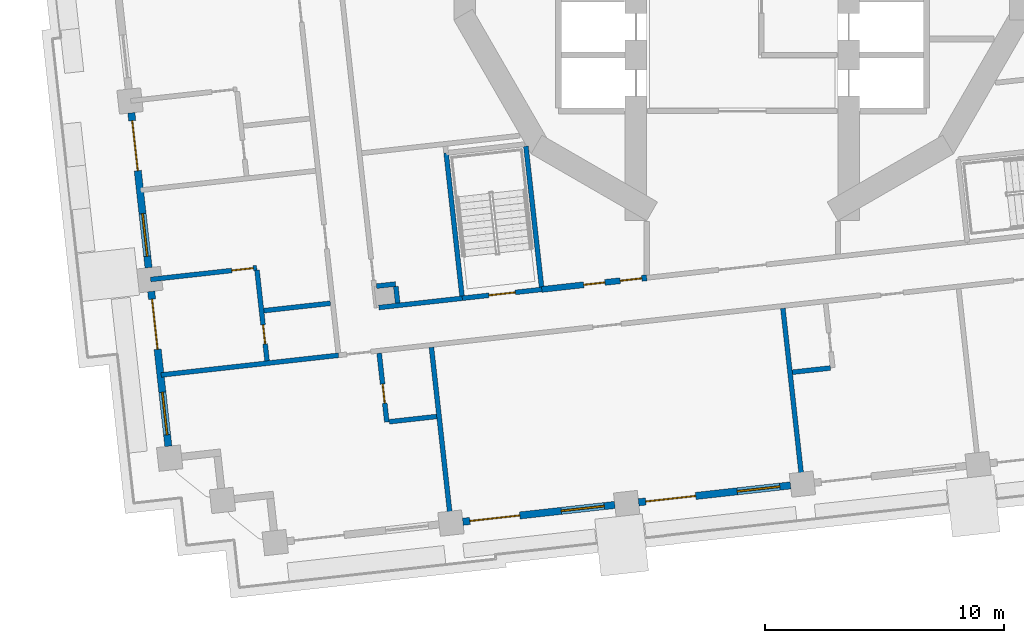
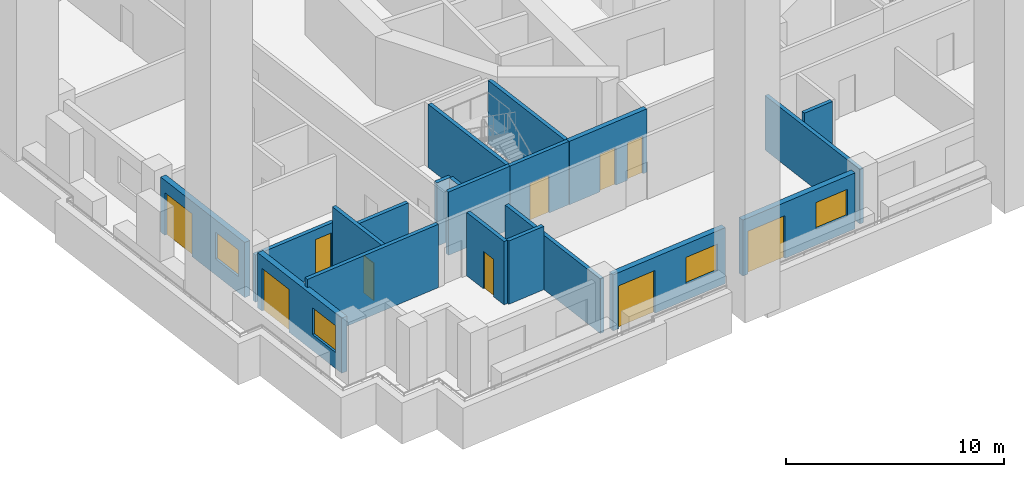
# One storey, part 3 of 20: 20 walls, 10 doors, 4 windows, 14 openings.
"""IFC4 building model written with IfcOpenShell, lengths in metres."""

from ifc_helpers import new_model, si_unit, direction, frame, frame_2d, origin, place, context, subcontext, project, spatial, rectangle, extrude, material, layer, layer_set, type_object, element, fill, save


model = new_model("IFC4")

# Units and contexts
model_context = context("Model", 3, precision=1e-05, world=origin(), true_north=direction((0.0, 1.0)))
body_context = subcontext(model_context, "Body", "Model", "MODEL_VIEW")
ifc_project = project(units=[si_unit("LENGTHUNIT", "METRE"), si_unit("AREAUNIT", "SQUARE_METRE"), si_unit("VOLUMEUNIT", "CUBIC_METRE"), si_unit("PLANEANGLEUNIT", "RADIAN"), si_unit("MASSUNIT", "GRAM", prefix="KILO")], contexts=[model_context])

# Site, building, storey
site_placement = place(None, origin())
site = spatial("IfcSite", under=ifc_project, at=site_placement, CompositionType="ELEMENT")
building_placement = place(site_placement, origin())
building = spatial("IfcBuilding", under=site, at=building_placement, Name="Cantera Rosa Tower", CompositionType="ELEMENT")
storey_placement = place(building_placement, frame((0.0, 0.0, 42.5)))
storey = spatial("IfcBuildingStorey", under=building, at=storey_placement, Name="L07", CompositionType="ELEMENT", Elevation=42.5)

# Wall
ifc_material_1 = material(Name="Gypsum board partition")
ifc_layer_1 = layer(ifc_material_1, 0.199951171875)
ifc_layer_set_1 = layer_set([ifc_layer_1], Name="CORRIDOR WALL 200 H3550")
wall_type_1 = type_object("IfcWallType", Name="CORRIDOR WALL 200 H3550", PredefinedType="PARTITIONING", material=ifc_layer_set_1)
wall_1_placement = place(storey_placement, frame((-15.208251953125, -15.27099609375, 0.0), z_axis=(0.0, 0.0, 1.0), x_axis=(0.993893064489, 0.110347525396, 0.0)))
element("IfcWall", 1, at=wall_1_placement, inside=storey, type_object=wall_type_1, Name="CORRIDOR WALL L07-024", PredefinedType="PARTITIONING", context=body_context, shape_type="SweptSolid", body=[
    extrude(rectangle(XDim=3.509033203125, YDim=0.199951171875, at=frame_2d((1.75439453125, 0.0))), origin(), (0.0, 0.0, 1.0), 3.550048828125),
])

# Wall, openings, window, door
ifc_material_2 = material(Name="Hollow clay masonry with cantera stone cladding", Category="masonry")
ifc_layer_2 = layer(ifc_material_2, 0.300048828125)
ifc_layer_set_2 = layer_set([ifc_layer_2], Name="EW-LOGGIA 300 H3090")
wall_type_2 = type_object("IfcWallType", Name="EW-LOGGIA 300 H3090", PredefinedType="SOLIDWALL", material=ifc_layer_set_2)
wall_2_placement = place(storey_placement, frame((-25.570068359375, -7.124267578125, 0.0), z_axis=(0.0, 0.0, 1.0), x_axis=(0.110312341265, -0.993896970196, 0.0)))
wall_2 = element("IfcWall", 2, at=wall_2_placement, inside=storey, type_object=wall_type_2, Name="EN-L07-W19", PredefinedType="SOLIDWALL", context=body_context, shape_type="SweptSolid", body=[
    extrude(rectangle(XDim=6.52001953125, YDim=0.300048828125, at=frame_2d((3.260009765625, 0.0))), origin(), (0.0, 0.0, 1.0), 3.090087890625),
])
opening_1_placement = place(wall_2_placement, frame((0.330078125, 0.0, 0.0)))
opening_1 = element("IfcOpeningElement", 3, at=opening_1_placement, cuts=wall_2, Name="Opening L07-TD25", PredefinedType="OPENING", context=body_context, shape_type="SweptSolid", body=[
    extrude(rectangle(XDim=2.10009765625, YDim=2.39990234375, at=frame_2d((1.050048828125, 1.199951171875))), frame((0.0, 0.159912109375, 0.0), z_axis=(0.0, -1.0, 0.0), x_axis=(1.0, 0.0, 0.0)), (0.0, 0.0, 1.0), 0.320068359375),
])
opening_2_placement = place(wall_2_placement, frame((4.239990234375, 0.0, 0.89990234375)))
opening_2 = element("IfcOpeningElement", 4, at=opening_2_placement, cuts=wall_2, Name="Opening L07-W26", PredefinedType="OPENING", context=body_context, shape_type="SweptSolid", body=[
    extrude(rectangle(XDim=1.800048828125, YDim=1.5, at=frame_2d((0.89990234375, 0.75))), frame((0.0, 0.159912109375, 0.0), z_axis=(0.0, -1.0, 0.0), x_axis=(1.0, 0.0, 0.0)), (0.0, 0.0, 1.0), 0.320068359375),
])
ifc_material_3 = material(Name="Aluminium frame with clear glass", Category="aluminium")
window_type = type_object("IfcWindowType", Name="Hotel room window 1800x1500", PartitioningType="DOUBLE_PANEL_VERTICAL", PredefinedType="WINDOW", material=ifc_material_3)
window_1_placement = place(opening_2_placement, origin())
window_1 = element("IfcWindow", 5, at=window_1_placement, inside=storey, type_object=window_type, Name="WINDOW L07-W26", OverallHeight=1.5, OverallWidth=1.800048828125, PartitioningType="SINGLE_PANEL", PredefinedType="WINDOW", context=body_context, shape_type="SweptSolid", body=[
    extrude(rectangle(XDim=1.800048828125, YDim=1.5, at=frame_2d((0.89990234375, 0.75))), frame((0.0, 0.030029296875, 0.0), z_axis=(0.0, -1.0, 0.0), x_axis=(1.0, 0.0, 0.0)), (0.0, 0.0, 1.0), 0.06005859375),
])
fill(opening_2, window_1)
ifc_material_4 = material(Name="Aluminium frame with clear glass", Category="aluminium")
door_type_1 = type_object("IfcDoorType", Name="TD-H 2100x2400", OperationType="NOTDEFINED", PredefinedType="DOOR", material=ifc_material_4)
door_1_placement = place(opening_1_placement, origin())
door_1 = element("IfcDoor", 6, at=door_1_placement, inside=storey, type_object=door_type_1, Name="LOGGIA DOOR L07-TD25", OperationType="SLIDING_TO_LEFT", OverallHeight=2.39990234375, OverallWidth=2.10009765625, PredefinedType="DOOR", context=body_context, shape_type="SweptSolid", body=[
    extrude(rectangle(XDim=2.10009765625, YDim=2.39990234375, at=frame_2d((1.050048828125, 1.199951171875))), frame((0.0, 0.02490234375, 0.0), z_axis=(0.0, -1.0, 0.0), x_axis=(1.0, 0.0, 0.0)), (0.0, 0.0, 1.0), 0.050048828125),
])
fill(opening_1, door_1)

wall_3_placement = place(storey_placement, frame((-24.74072265625, -14.598388671875, 0.0), z_axis=(0.0, 0.0, 1.0), x_axis=(0.110312341265, -0.993896970196, 0.0)))
wall_3 = element("IfcWall", 7, at=wall_3_placement, inside=storey, type_object=wall_type_2, Name="EN-L07-W20", PredefinedType="SOLIDWALL", context=body_context, shape_type="SweptSolid", body=[
    extrude(rectangle(XDim=6.52001953125, YDim=0.300048828125, at=frame_2d((3.260009765625, 0.0))), origin(), (0.0, 0.0, 1.0), 3.090087890625),
])
opening_3_placement = place(wall_3_placement, frame((0.330078125, 0.0, 0.0)))
opening_3 = element("IfcOpeningElement", 8, at=opening_3_placement, cuts=wall_3, Name="Opening L07-TD27", PredefinedType="OPENING", context=body_context, shape_type="SweptSolid", body=[
    extrude(rectangle(XDim=2.10009765625, YDim=2.39990234375, at=frame_2d((1.050048828125, 1.199951171875))), frame((0.0, 0.159912109375, 0.0), z_axis=(0.0, -1.0, 0.0), x_axis=(1.0, 0.0, 0.0)), (0.0, 0.0, 1.0), 0.320068359375),
])
opening_4_placement = place(wall_3_placement, frame((4.239990234375, 0.0, 0.89990234375)))
opening_4 = element("IfcOpeningElement", 9, at=opening_4_placement, cuts=wall_3, Name="Opening L07-W28", PredefinedType="OPENING", context=body_context, shape_type="SweptSolid", body=[
    extrude(rectangle(XDim=1.800048828125, YDim=1.5, at=frame_2d((0.89990234375, 0.75))), frame((0.0, 0.159912109375, 0.0), z_axis=(0.0, -1.0, 0.0), x_axis=(1.0, 0.0, 0.0)), (0.0, 0.0, 1.0), 0.320068359375),
])
window_2_placement = place(opening_4_placement, origin())
window_2 = element("IfcWindow", 10, at=window_2_placement, inside=storey, type_object=window_type, Name="WINDOW L07-W28", OverallHeight=1.5, OverallWidth=1.800048828125, PartitioningType="SINGLE_PANEL", PredefinedType="WINDOW", context=body_context, shape_type="SweptSolid", body=[
    extrude(rectangle(XDim=1.800048828125, YDim=1.5, at=frame_2d((0.89990234375, 0.75))), frame((0.0, 0.030029296875, 0.0), z_axis=(0.0, -1.0, 0.0), x_axis=(1.0, 0.0, 0.0)), (0.0, 0.0, 1.0), 0.06005859375),
])
fill(opening_4, window_2)
door_2_placement = place(opening_3_placement, origin())
door_2 = element("IfcDoor", 11, at=door_2_placement, inside=storey, type_object=door_type_1, Name="LOGGIA DOOR L07-TD27", OperationType="SLIDING_TO_LEFT", OverallHeight=2.39990234375, OverallWidth=2.10009765625, PredefinedType="DOOR", context=body_context, shape_type="SweptSolid", body=[
    extrude(rectangle(XDim=2.10009765625, YDim=2.39990234375, at=frame_2d((1.050048828125, 1.199951171875))), frame((0.0, 0.02490234375, 0.0), z_axis=(0.0, -1.0, 0.0), x_axis=(1.0, 0.0, 0.0)), (0.0, 0.0, 1.0), 0.050048828125),
])
fill(opening_3, door_2)

ifc_material_5 = material(Name="Hollow clay masonry with cantera stone cladding", Category="masonry")
ifc_layer_3 = layer(ifc_material_5, 0.300048828125)
ifc_layer_set_3 = layer_set([ifc_layer_3], Name="EW-LOGGIA 300 H3140")
wall_type_3 = type_object("IfcWallType", Name="EW-LOGGIA 300 H3140", PredefinedType="SOLIDWALL", material=ifc_layer_set_3)
wall_4_placement = place(storey_placement, frame((-11.697509765625, -24.23828125, 0.0), z_axis=(0.0, 0.0, 1.0), x_axis=(0.993895824271, 0.110322665379, 0.0)))
wall_4 = element("IfcWall", 12, at=wall_4_placement, inside=storey, type_object=wall_type_3, Name="EN-L07-W24", PredefinedType="SOLIDWALL", context=body_context, shape_type="SweptSolid", body=[
    extrude(rectangle(XDim=6.39990234375, YDim=0.300048828125, at=frame_2d((3.199951171875, 0.0))), origin(), (0.0, 0.0, 1.0), 3.139892578125),
])
opening_5_placement = place(wall_4_placement, frame((0.300048828125, 0.0, 0.0)))
opening_5 = element("IfcOpeningElement", 13, at=opening_5_placement, cuts=wall_4, Name="Opening L07-TD31", PredefinedType="OPENING", context=body_context, shape_type="SweptSolid", body=[
    extrude(rectangle(XDim=2.10009765625, YDim=2.39990234375, at=frame_2d((1.050048828125, 1.199951171875))), frame((0.0, 0.159912109375, 0.0), z_axis=(0.0, -1.0, 0.0), x_axis=(1.0, 0.0, 0.0)), (0.0, 0.0, 1.0), 0.320068359375),
])
opening_6_placement = place(wall_4_placement, frame((4.14990234375, 0.0, 0.89990234375)))
opening_6 = element("IfcOpeningElement", 14, at=opening_6_placement, cuts=wall_4, Name="Opening L07-W32", PredefinedType="OPENING", context=body_context, shape_type="SweptSolid", body=[
    extrude(rectangle(XDim=1.800048828125, YDim=1.5, at=frame_2d((0.89990234375, 0.75))), frame((0.0, 0.159912109375, 0.0), z_axis=(0.0, -1.0, 0.0), x_axis=(1.0, 0.0, 0.0)), (0.0, 0.0, 1.0), 0.320068359375),
])
window_3_placement = place(opening_6_placement, origin())
window_3 = element("IfcWindow", 15, at=window_3_placement, inside=storey, type_object=window_type, Name="WINDOW L07-W32", OverallHeight=1.5, OverallWidth=1.800048828125, PartitioningType="SINGLE_PANEL", PredefinedType="WINDOW", context=body_context, shape_type="SweptSolid", body=[
    extrude(rectangle(XDim=1.800048828125, YDim=1.5, at=frame_2d((0.89990234375, 0.75))), frame((0.0, 0.030029296875, 0.0), z_axis=(0.0, -1.0, 0.0), x_axis=(1.0, 0.0, 0.0)), (0.0, 0.0, 1.0), 0.06005859375),
])
fill(opening_6, window_3)
door_3_placement = place(opening_5_placement, origin())
door_3 = element("IfcDoor", 16, at=door_3_placement, inside=storey, type_object=door_type_1, Name="LOGGIA DOOR L07-TD31", OperationType="SLIDING_TO_LEFT", OverallHeight=2.39990234375, OverallWidth=2.10009765625, PredefinedType="DOOR", context=body_context, shape_type="SweptSolid", body=[
    extrude(rectangle(XDim=2.10009765625, YDim=2.39990234375, at=frame_2d((1.050048828125, 1.199951171875))), frame((0.0, 0.02490234375, 0.0), z_axis=(0.0, -1.0, 0.0), x_axis=(1.0, 0.0, 0.0)), (0.0, 0.0, 1.0), 0.050048828125),
])
fill(opening_5, door_3)

wall_5_placement = place(storey_placement, frame((-4.3427734375, -23.422119140625, 0.0), z_axis=(0.0, 0.0, 1.0), x_axis=(0.993895824271, 0.110322665379, 0.0)))
wall_5 = element("IfcWall", 17, at=wall_5_placement, inside=storey, type_object=wall_type_3, Name="EN-L07-W25", PredefinedType="SOLIDWALL", context=body_context, shape_type="SweptSolid", body=[
    extrude(rectangle(XDim=6.39990234375, YDim=0.300048828125, at=frame_2d((3.199951171875, 0.0))), origin(), (0.0, 0.0, 1.0), 3.139892578125),
])
opening_7_placement = place(wall_5_placement, frame((0.300048828125, 0.0, 0.0)))
opening_7 = element("IfcOpeningElement", 18, at=opening_7_placement, cuts=wall_5, Name="Opening L07-TD33", PredefinedType="OPENING", context=body_context, shape_type="SweptSolid", body=[
    extrude(rectangle(XDim=2.10009765625, YDim=2.39990234375, at=frame_2d((1.050048828125, 1.199951171875))), frame((0.0, 0.159912109375, 0.0), z_axis=(0.0, -1.0, 0.0), x_axis=(1.0, 0.0, 0.0)), (0.0, 0.0, 1.0), 0.320068359375),
])
opening_8_placement = place(wall_5_placement, frame((4.14990234375, 0.0, 0.89990234375)))
opening_8 = element("IfcOpeningElement", 19, at=opening_8_placement, cuts=wall_5, Name="Opening L07-W34", PredefinedType="OPENING", context=body_context, shape_type="SweptSolid", body=[
    extrude(rectangle(XDim=1.800048828125, YDim=1.5, at=frame_2d((0.89990234375, 0.75))), frame((0.0, 0.159912109375, 0.0), z_axis=(0.0, -1.0, 0.0), x_axis=(1.0, 0.0, 0.0)), (0.0, 0.0, 1.0), 0.320068359375),
])
window_4_placement = place(opening_8_placement, origin())
window_4 = element("IfcWindow", 20, at=window_4_placement, inside=storey, type_object=window_type, Name="WINDOW L07-W34", OverallHeight=1.5, OverallWidth=1.800048828125, PartitioningType="SINGLE_PANEL", PredefinedType="WINDOW", context=body_context, shape_type="SweptSolid", body=[
    extrude(rectangle(XDim=1.800048828125, YDim=1.5, at=frame_2d((0.89990234375, 0.75))), frame((0.0, 0.030029296875, 0.0), z_axis=(0.0, -1.0, 0.0), x_axis=(1.0, 0.0, 0.0)), (0.0, 0.0, 1.0), 0.06005859375),
])
fill(opening_8, window_4)
door_4_placement = place(opening_7_placement, origin())
door_4 = element("IfcDoor", 21, at=door_4_placement, inside=storey, type_object=door_type_1, Name="LOGGIA DOOR L07-TD33", OperationType="SLIDING_TO_LEFT", OverallHeight=2.39990234375, OverallWidth=2.10009765625, PredefinedType="DOOR", context=body_context, shape_type="SweptSolid", body=[
    extrude(rectangle(XDim=2.10009765625, YDim=2.39990234375, at=frame_2d((1.050048828125, 1.199951171875))), frame((0.0, 0.02490234375, 0.0), z_axis=(0.0, -1.0, 0.0), x_axis=(1.0, 0.0, 0.0)), (0.0, 0.0, 1.0), 0.050048828125),
])
fill(opening_7, door_4)

# Wall, opening, door
ifc_material_6 = material(Name="Gypsum board partition")
ifc_layer_4 = layer(ifc_material_6, 0.199951171875)
ifc_layer_set_4 = layer_set([ifc_layer_4], Name="PARTITION 200 H2650")
wall_type_4 = type_object("IfcWallType", Name="PARTITION 200 H2650", PredefinedType="PARTITIONING", material=ifc_layer_set_4)
wall_6_placement = place(storey_placement, frame((-24.76611328125, -14.097900390625, 0.0), z_axis=(0.0, 0.0, 1.0), x_axis=(0.993901704808, 0.1102696748, 0.0)))
wall_6 = element("IfcWall", 22, at=wall_6_placement, inside=storey, type_object=wall_type_4, Name="PARTITION L07-002", PredefinedType="PARTITIONING", context=body_context, shape_type="SweptSolid", body=[
    extrude(rectangle(XDim=4.47021484375, YDim=0.199951171875, at=frame_2d((2.235107421875, 0.0))), origin(), (0.0, 0.0, 1.0), 2.64990234375),
])
opening_9_placement = place(wall_6_placement, frame((3.419921875, 0.0, 0.0)))
opening_9 = element("IfcOpeningElement", 23, at=opening_9_placement, cuts=wall_6, Name="Opening L07-033", PredefinedType="OPENING", context=body_context, shape_type="SweptSolid", body=[
    extrude(rectangle(XDim=0.89990234375, YDim=2.10009765625, at=frame_2d((0.449951171875, 1.050048828125))), frame((0.0, 0.10986328125, 0.0), z_axis=(0.0, -1.0, 0.0), x_axis=(1.0, 0.0, 0.0)), (0.0, 0.0, 1.0), 0.219970703125),
])
ifc_material_7 = material(Name="Timber door leaf", Category="wood")
door_type_2 = type_object("IfcDoorType", Name="ROOM DOOR 900x2100", OperationType="NOTDEFINED", PredefinedType="DOOR", material=ifc_material_7)
door_5_placement = place(opening_9_placement, origin())
door_5 = element("IfcDoor", 24, at=door_5_placement, inside=storey, type_object=door_type_2, Name="DOOR L07-033", OperationType="NOTDEFINED", OverallHeight=2.10009765625, OverallWidth=0.89990234375, PredefinedType="DOOR", context=body_context, shape_type="SweptSolid", body=[
    extrude(rectangle(XDim=0.89990234375, YDim=2.10009765625, at=frame_2d((0.449951171875, 1.050048828125))), frame((0.0, 0.02490234375, 0.0), z_axis=(0.0, -1.0, 0.0), x_axis=(1.0, 0.0, 0.0)), (0.0, 0.0, 1.0), 0.050048828125),
])
fill(opening_9, door_5)

ifc_material_8 = material(Name="Gypsum board partition")
ifc_layer_5 = layer(ifc_material_8, 0.199951171875)
ifc_layer_set_5 = layer_set([ifc_layer_5], Name="PARTITION 200 H3550")
wall_type_5 = type_object("IfcWallType", Name="PARTITION 200 H3550", PredefinedType="PARTITIONING", material=ifc_layer_set_5)
wall_7_placement = place(storey_placement, frame((-20.312255859375, -13.704345703125, 0.0), z_axis=(0.0, 0.0, 1.0), x_axis=(0.110312274665, -0.993896977588, 0.0)))
wall_7 = element("IfcWall", 25, at=wall_7_placement, inside=storey, type_object=wall_type_5, Name="PARTITION L07-007", PredefinedType="PARTITIONING", context=body_context, shape_type="SweptSolid", body=[
    extrude(rectangle(XDim=3.81982421875, YDim=0.199951171875, at=frame_2d((1.909912109375, 0.0))), origin(), (0.0, 0.0, 1.0), 3.550048828125),
])
opening_10_placement = place(wall_7_placement, frame((2.31005859375, 0.0, 0.0)))
opening_10 = element("IfcOpeningElement", 26, at=opening_10_placement, cuts=wall_7, Name="Opening L07-034", PredefinedType="OPENING", context=body_context, shape_type="SweptSolid", body=[
    extrude(rectangle(XDim=0.800048828125, YDim=2.10009765625, at=frame_2d((0.39990234375, 1.050048828125))), frame((0.0, 0.10986328125, 0.0), z_axis=(0.0, -1.0, 0.0), x_axis=(1.0, 0.0, 0.0)), (0.0, 0.0, 1.0), 0.219970703125),
])
ifc_material_9 = material(Name="Timber door leaf", Category="wood")
door_type_3 = type_object("IfcDoorType", Name="BATHROOM DOOR 800x2100", OperationType="NOTDEFINED", PredefinedType="DOOR", material=ifc_material_9)
door_6_placement = place(opening_10_placement, origin())
door_6 = element("IfcDoor", 27, at=door_6_placement, inside=storey, type_object=door_type_3, Name="DOOR L07-034", OperationType="NOTDEFINED", OverallHeight=2.10009765625, OverallWidth=0.800048828125, PredefinedType="DOOR", context=body_context, shape_type="SweptSolid", body=[
    extrude(rectangle(XDim=0.800048828125, YDim=2.10009765625, at=frame_2d((0.39990234375, 1.050048828125))), frame((0.0, 0.02490234375, 0.0), z_axis=(0.0, -1.0, 0.0), x_axis=(1.0, 0.0, 0.0)), (0.0, 0.0, 1.0), 0.050048828125),
])
fill(opening_10, door_6)

# Wall
wall_8_placement = place(storey_placement, frame((-20.023193359375, -15.40283203125, 0.0), z_axis=(0.0, 0.0, 1.0), x_axis=(0.993898612038, 0.110297547524, 0.0)))
element("IfcWall", 28, at=wall_8_placement, inside=storey, type_object=wall_type_5, Name="PARTITION L07-010", PredefinedType="PARTITIONING", context=body_context, shape_type="SweptSolid", body=[
    extrude(rectangle(XDim=2.800048828125, YDim=0.199951171875, at=frame_2d((1.39990234375, 0.0))), origin(), (0.0, 0.0, 1.0), 3.550048828125),
])

# Wall, opening, door
wall_9_placement = place(storey_placement, frame((-14.87744140625, -20.063720703125, 0.0), z_axis=(0.0, 0.0, 1.0), x_axis=(-0.110366846939, 0.993890919114, 0.0)))
wall_9 = element("IfcWall", 29, at=wall_9_placement, inside=storey, type_object=wall_type_5, Name="PARTITION L07-025", PredefinedType="PARTITIONING", context=body_context, shape_type="SweptSolid", body=[
    extrude(rectangle(XDim=2.900146484375, YDim=0.199951171875, at=frame_2d((1.4501953125, 0.0))), origin(), (0.0, 0.0, 1.0), 3.550048828125),
])
opening_11_placement = place(wall_9_placement, frame((0.800048828125, 0.0, 0.0)))
opening_11 = element("IfcOpeningElement", 30, at=opening_11_placement, cuts=wall_9, Name="Opening L07-046", PredefinedType="OPENING", context=body_context, shape_type="SweptSolid", body=[
    extrude(rectangle(XDim=0.800048828125, YDim=2.10009765625, at=frame_2d((0.39990234375, 1.050048828125))), frame((0.0, 0.10986328125, 0.0), z_axis=(0.0, -1.0, 0.0), x_axis=(1.0, 0.0, 0.0)), (0.0, 0.0, 1.0), 0.219970703125),
])
door_7_placement = place(opening_11_placement, origin())
door_7 = element("IfcDoor", 31, at=door_7_placement, inside=storey, type_object=door_type_3, Name="DOOR L07-046", OperationType="NOTDEFINED", OverallHeight=2.10009765625, OverallWidth=0.800048828125, PredefinedType="DOOR", context=body_context, shape_type="SweptSolid", body=[
    extrude(rectangle(XDim=0.800048828125, YDim=2.10009765625, at=frame_2d((0.39990234375, 1.050048828125))), frame((0.0, 0.02490234375, 0.0), z_axis=(0.0, -1.0, 0.0), x_axis=(1.0, 0.0, 0.0)), (0.0, 0.0, 1.0), 0.050048828125),
])
fill(opening_11, door_7)

# Walls
wall_10_placement = place(storey_placement, frame((-14.512451171875, -14.2880859375, 0.0), z_axis=(0.0, 0.0, 1.0), x_axis=(-0.993880012744, -0.110465018303, 0.0)))
element("IfcWall", 32, at=wall_10_placement, inside=storey, type_object=wall_type_5, Name="PARTITION L07-027", PredefinedType="PARTITIONING", context=body_context, shape_type="SweptSolid", body=[
    extrude(rectangle(XDim=0.800048828125, YDim=0.199951171875, at=frame_2d((0.39990234375, 0.0))), origin(), (0.0, 0.0, 1.0), 3.550048828125),
])
wall_11_placement = place(storey_placement, frame((-14.42431640625, -15.083251953125, 0.0), z_axis=(0.0, 0.0, 1.0), x_axis=(-0.110201865026, 0.993909225707, 0.0)))
element("IfcWall", 33, at=wall_11_placement, inside=storey, type_object=wall_type_5, Name="PARTITION L07-029", PredefinedType="PARTITIONING", context=body_context, shape_type="SweptSolid", body=[
    extrude(rectangle(XDim=0.699951171875, YDim=0.199951171875, at=frame_2d((0.35009765625, 0.0))), origin(), (0.0, 0.0, 1.0), 3.550048828125),
])
wall_12_placement = place(storey_placement, frame((-12.790283203125, -19.83203125, 0.0), z_axis=(0.0, 0.0, 1.0), x_axis=(-0.993906044505, -0.110230552467, 0.0)))
element("IfcWall", 34, at=wall_12_placement, inside=storey, type_object=wall_type_5, Name="PARTITION L07-031", PredefinedType="PARTITIONING", context=body_context, shape_type="SweptSolid", body=[
    extrude(rectangle(XDim=2.0, YDim=0.199951171875, at=frame_2d((1.0, 0.0))), origin(), (0.0, 0.0, 1.0), 3.550048828125),
])
wall_13_placement = place(storey_placement, frame((3.686279296875, -17.802001953125, 0.0), z_axis=(0.0, 0.0, 1.0), x_axis=(-0.99389675276, -0.110314300314, 0.0)))
element("IfcWall", 35, at=wall_13_placement, inside=storey, type_object=wall_type_5, Name="PARTITION L07-060", PredefinedType="PARTITIONING", context=body_context, shape_type="SweptSolid", body=[
    extrude(rectangle(XDim=1.60009765625, YDim=0.199951171875, at=frame_2d((0.800048828125, 0.0))), origin(), (0.0, 0.0, 1.0), 3.550048828125),
])
ifc_material_10 = material(Name="Gypsum board partition")
ifc_layer_6 = layer(ifc_material_10, 0.199951171875)
ifc_layer_set_6 = layer_set([ifc_layer_6], Name="PARTY WALL 200 H3050")
wall_type_6 = type_object("IfcWallType", Name="PARTY WALL 200 H3050", PredefinedType="PARTITIONING", material=ifc_layer_set_6)
wall_14_placement = place(storey_placement, frame((-12.197998046875, -24.263671875, 0.0), z_axis=(0.0, 0.0, 1.0), x_axis=(-0.11031154238, 0.993897058864, 0.0)))
element("IfcWall", 36, at=wall_14_placement, inside=storey, type_object=wall_type_6, Name="PARTY WALL L07-035", PredefinedType="PARTITIONING", context=body_context, shape_type="SweptSolid", body=[
    extrude(rectangle(XDim=7.369873046875, YDim=0.199951171875, at=frame_2d((3.68505859375, 0.0))), origin(), (0.0, 0.0, 1.0), 3.050048828125),
])
wall_15_placement = place(storey_placement, frame((1.69873046875, -15.305908203125, 0.0), z_axis=(0.0, 0.0, 1.0), x_axis=(0.110307910555, -0.993897461949, 0.0)))
element("IfcWall", 37, at=wall_15_placement, inside=storey, type_object=wall_type_6, Name="PARTY WALL L07-058", PredefinedType="PARTITIONING", context=body_context, shape_type="SweptSolid", body=[
    extrude(rectangle(XDim=7.3701171875, YDim=0.199951171875, at=frame_2d((3.68505859375, 0.0))), origin(), (0.0, 0.0, 1.0), 3.050048828125),
])
ifc_material_11 = material(Name="Gypsum board partition")
ifc_layer_7 = layer(ifc_material_11, 0.199951171875)
ifc_layer_set_7 = layer_set([ifc_layer_7], Name="PARTY WALL 200 H3550")
wall_type_7 = type_object("IfcWallType", Name="PARTY WALL 200 H3550", PredefinedType="PARTITIONING", material=ifc_layer_set_7)
wall_16_placement = place(storey_placement, frame((-24.322509765625, -18.093505859375, 0.0), z_axis=(0.0, 0.0, 1.0), x_axis=(0.993897676912, 0.110305973679, 0.0)))
element("IfcWall", 38, at=wall_16_placement, inside=storey, type_object=wall_type_7, Name="PARTY WALL L07-003", PredefinedType="PARTITIONING", context=body_context, shape_type="SweptSolid", body=[
    extrude(rectangle(XDim=7.469970703125, YDim=0.199951171875, at=frame_2d((3.73486328125, 0.0))), origin(), (0.0, 0.0, 1.0), 3.550048828125),
])

# Wall, openings, doors
ifc_material_12 = material(Name="Masonry blockwork", Category="masonry")
ifc_layer_8 = layer(ifc_material_12, 0.25)
ifc_layer_set_8 = layer_set([ifc_layer_8], Name="SHAFT WALL 250 H3550")
wall_type_8 = type_object("IfcWallType", Name="SHAFT WALL 250 H3550", PredefinedType="SOLIDWALL", material=ifc_layer_set_8)
wall_17_placement = place(storey_placement, frame((-8.391357421875, -14.51416015625, 0.0), z_axis=(0.0, 0.0, 1.0), x_axis=(0.993899223668, 0.110292035939, 0.0)))
wall_17 = element("IfcWall", 39, at=wall_17_placement, inside=storey, type_object=wall_type_8, Name="SHAFT WALL L07-042", PredefinedType="SOLIDWALL", context=body_context, shape_type="SweptSolid", body=[
    extrude(rectangle(XDim=4.418212890625, YDim=0.25, at=frame_2d((2.208984375, 0.0))), origin(), (0.0, 0.0, 1.0), 3.550048828125),
])
opening_12_placement = place(wall_17_placement, frame((3.305419921875, 0.0, 0.0)))
opening_12 = element("IfcOpeningElement", 40, at=opening_12_placement, cuts=wall_17, Name="Opening L07-008", PredefinedType="OPENING", context=body_context, shape_type="SweptSolid", body=[
    extrude(rectangle(XDim=0.89990234375, YDim=2.10009765625, at=frame_2d((0.449951171875, 1.050048828125))), frame((0.0, 0.135009765625, 0.0), z_axis=(0.0, -1.0, 0.0), x_axis=(1.0, 0.0, 0.0)), (0.0, 0.0, 1.0), 0.27001953125),
])
opening_13_placement = place(wall_17_placement, frame((1.759033203125, 0.0, 0.0)))
opening_13 = element("IfcOpeningElement", 41, at=opening_13_placement, cuts=wall_17, Name="Opening L07-050", PredefinedType="OPENING", context=body_context, shape_type="SweptSolid", body=[
    extrude(rectangle(XDim=0.89990234375, YDim=2.10009765625, at=frame_2d((0.449951171875, 1.050048828125))), frame((0.0, 0.135009765625, 0.0), z_axis=(0.0, -1.0, 0.0), x_axis=(1.0, 0.0, 0.0)), (0.0, 0.0, 1.0), 0.27001953125),
])
ifc_material_13 = material(Name="Timber door leaf", Category="wood")
door_type_4 = type_object("IfcDoorType", Name="SERVICE DOOR 900x2100", OperationType="NOTDEFINED", PredefinedType="DOOR", material=ifc_material_13)
door_8_placement = place(opening_12_placement, origin())
door_8 = element("IfcDoor", 42, at=door_8_placement, inside=storey, type_object=door_type_4, Name="RISER DOOR L07-008", OperationType="NOTDEFINED", OverallHeight=2.10009765625, OverallWidth=0.89990234375, PredefinedType="DOOR", context=body_context, shape_type="SweptSolid", body=[
    extrude(rectangle(XDim=0.89990234375, YDim=2.10009765625, at=frame_2d((0.449951171875, 1.050048828125))), frame((0.0, 0.02490234375, 0.0), z_axis=(0.0, -1.0, 0.0), x_axis=(1.0, 0.0, 0.0)), (0.0, 0.0, 1.0), 0.050048828125),
])
fill(opening_12, door_8)
door_9_placement = place(opening_13_placement, origin())
door_9 = element("IfcDoor", 43, at=door_9_placement, inside=storey, type_object=door_type_4, Name="RISER DOOR L07-050", OperationType="NOTDEFINED", OverallHeight=2.10009765625, OverallWidth=0.89990234375, PredefinedType="DOOR", context=body_context, shape_type="SweptSolid", body=[
    extrude(rectangle(XDim=0.89990234375, YDim=2.10009765625, at=frame_2d((0.449951171875, 1.050048828125))), frame((0.0, 0.02490234375, 0.0), z_axis=(0.0, -1.0, 0.0), x_axis=(1.0, 0.0, 0.0)), (0.0, 0.0, 1.0), 0.050048828125),
])
fill(opening_13, door_9)

# Wall
ifc_material_14 = material(Name="Concrete C50/60", Category="concrete")
ifc_layer_9 = layer(ifc_material_14, 0.199951171875)
ifc_layer_set_9 = layer_set([ifc_layer_9], Name="STAIR WALL 200 H3550")
wall_type_9 = type_object("IfcWallType", Name="STAIR WALL 200 H3550", PredefinedType="SOLIDWALL", material=ifc_layer_set_9)
wall_18_placement = place(storey_placement, frame((-12.395751953125, -8.802978515625, 0.0), z_axis=(0.0, 0.0, 1.0), x_axis=(0.110335171461, -0.993894436014, 0.0)))
element("IfcWall", 44, at=wall_18_placement, inside=storey, type_object=wall_type_9, Name="STAIR WALL L07-033", PredefinedType="SOLIDWALL", context=body_context, shape_type="SweptSolid", body=[
    extrude(rectangle(XDim=6.1181640625, YDim=0.199951171875, at=frame_2d((3.05908203125, 0.0))), origin(), (0.0, 0.0, 1.0), 3.550048828125),
])

# Wall, opening, door
wall_19_placement = place(storey_placement, frame((-11.720703125, -14.8837890625, 0.0), z_axis=(0.0, 0.0, 1.0), x_axis=(0.993893507649, 0.110343533811, 0.0)))
wall_19 = element("IfcWall", 45, at=wall_19_placement, inside=storey, type_object=wall_type_9, Name="STAIR WALL L07-036", PredefinedType="SOLIDWALL", context=body_context, shape_type="SweptSolid", body=[
    extrude(rectangle(XDim=3.349853515625, YDim=0.199951171875, at=frame_2d((1.6748046875, 0.0))), origin(), (0.0, 0.0, 1.0), 3.550048828125),
])
opening_14_placement = place(wall_19_placement, frame((1.125, 0.0, 0.0)))
opening_14 = element("IfcOpeningElement", 46, at=opening_14_placement, cuts=wall_19, Name="Opening L07-003", PredefinedType="OPENING", context=body_context, shape_type="SweptSolid", body=[
    extrude(rectangle(XDim=1.10009765625, YDim=2.10009765625, at=frame_2d((0.550048828125, 1.050048828125))), frame((0.0, 0.10986328125, 0.0), z_axis=(0.0, -1.0, 0.0), x_axis=(1.0, 0.0, 0.0)), (0.0, 0.0, 1.0), 0.219970703125),
])
ifc_material_15 = material(Name="Steel S355J2 (EN 10025-2)", Category="steel")
door_type_5 = type_object("IfcDoorType", Name="STAIR DOOR 1100x2100", OperationType="NOTDEFINED", PredefinedType="DOOR", material=ifc_material_15)
door_10_placement = place(opening_14_placement, origin())
door_10 = element("IfcDoor", 47, at=door_10_placement, inside=storey, type_object=door_type_5, Name="DOOR L07-003", OperationType="NOTDEFINED", OverallHeight=2.10009765625, OverallWidth=1.10009765625, PredefinedType="DOOR", context=body_context, shape_type="SweptSolid", body=[
    extrude(rectangle(XDim=1.10009765625, YDim=2.10009765625, at=frame_2d((0.550048828125, 1.050048828125))), frame((0.0, 0.02490234375, 0.0), z_axis=(0.0, -1.0, 0.0), x_axis=(1.0, 0.0, 0.0)), (0.0, 0.0, 1.0), 0.050048828125),
])
fill(opening_14, door_10)

# Wall
wall_20_placement = place(storey_placement, frame((-8.391357421875, -14.51416015625, 0.0), z_axis=(0.0, 0.0, 1.0), x_axis=(-0.11031151838, 0.993897061527, 0.0)))
element("IfcWall", 48, at=wall_20_placement, inside=storey, type_object=wall_type_9, Name="STAIR WALL L07-041", PredefinedType="SOLIDWALL", context=body_context, shape_type="SweptSolid", body=[
    extrude(rectangle(XDim=6.02880859375, YDim=0.199951171875, at=frame_2d((3.014404296875, 0.0))), origin(), (0.0, 0.0, 1.0), 3.550048828125),
])

save(model, "model.ifc")
